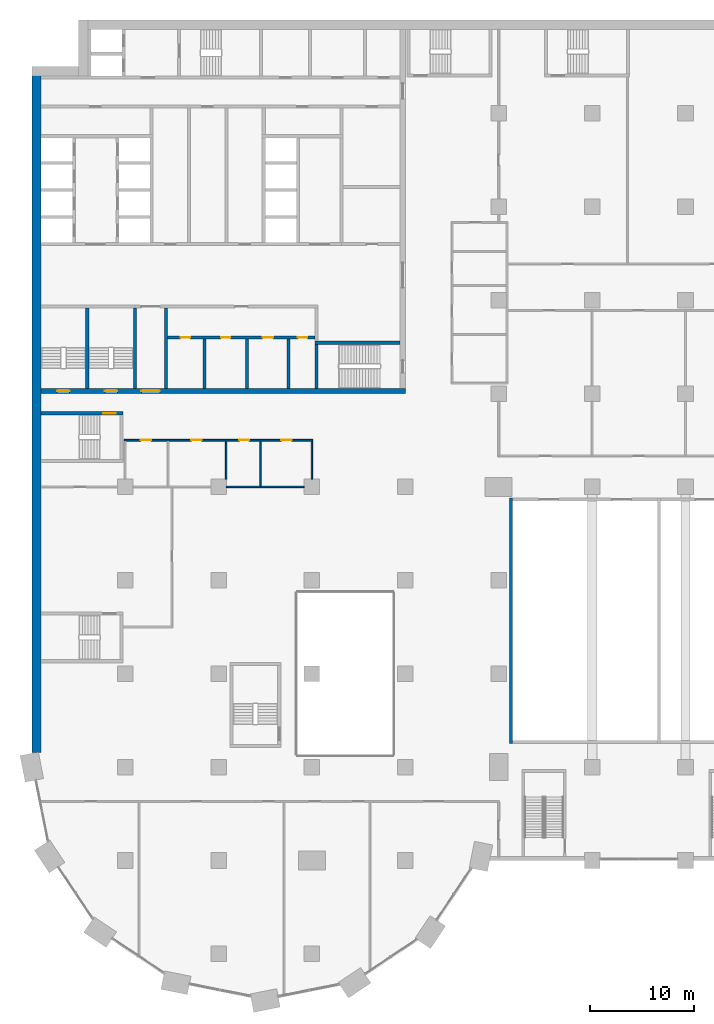
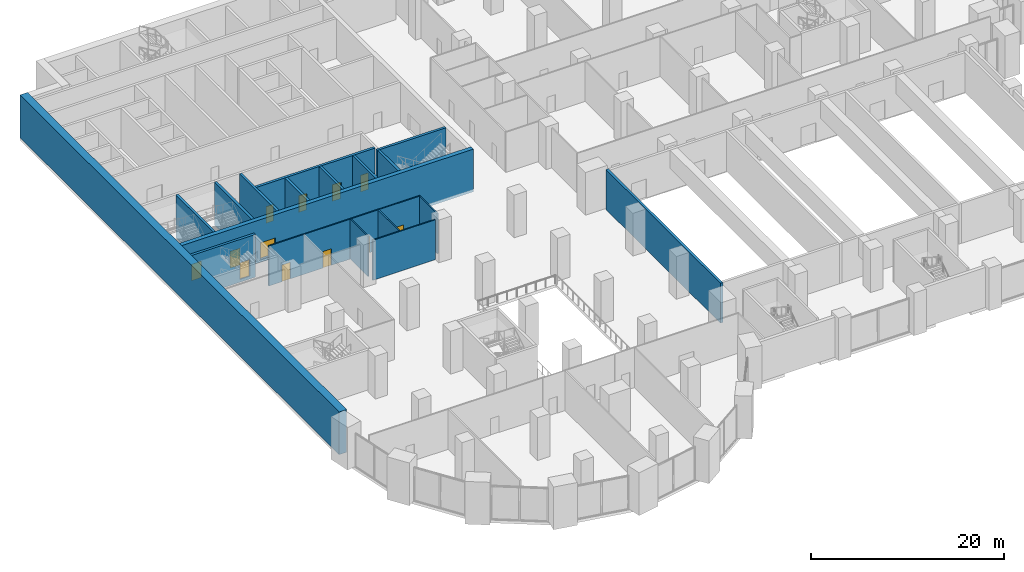
# One storey, part 16 of 43: 18 walls, 12 doors, 12 openings.
"""IFC4 building model written with IfcOpenShell, lengths in metres."""

from ifc_helpers import new_model, si_unit, direction, frame, frame_2d, origin, place, context, subcontext, project, spatial, rectangle, extrude, material, layer, layer_set, type_object, element, fill, save


model = new_model("IFC4")

# Units and contexts
model_context = context("Model", 3, precision=1e-05, world=origin(), true_north=direction((0.0, 1.0)))
body_context = subcontext(model_context, "Body", "Model", "MODEL_VIEW")
ifc_project = project(units=[si_unit("LENGTHUNIT", "METRE"), si_unit("AREAUNIT", "SQUARE_METRE"), si_unit("VOLUMEUNIT", "CUBIC_METRE"), si_unit("PLANEANGLEUNIT", "RADIAN"), si_unit("MASSUNIT", "GRAM", prefix="KILO")], contexts=[model_context])

# Site, building, storey
site_placement = place(None, origin())
site = spatial("IfcSite", under=ifc_project, at=site_placement, CompositionType="ELEMENT")
building_placement = place(site_placement, origin())
building = spatial("IfcBuilding", under=site, at=building_placement, Name="Hunhe Ridgeline Campus", CompositionType="ELEMENT")
storey_placement = place(building_placement, frame((0.0, 0.0, 11.39990234375)))
storey = spatial("IfcBuildingStorey", under=building, at=storey_placement, Name="L02", CompositionType="ELEMENT", Elevation=11.39990234375)

# Wall
ifc_material_1 = material(Name="Plastered blockwork", Category="masonry")
ifc_layer_1 = layer(ifc_material_1, 0.14990234375)
ifc_layer_set_1 = layer_set([ifc_layer_1], Name="Blockwork partition 150")
wall_type_1 = type_object("IfcWallType", Name="Blockwork partition 150", PredefinedType="PARTITIONING", material=ifc_layer_set_1)
wall_1_placement = place(storey_placement, frame((26.25, 54.0, 0.0), z_axis=(0.0, 0.0, 1.0), x_axis=(-1.0, 0.0, 0.0)))
element("IfcWall", 1, at=wall_1_placement, inside=storey, type_object=wall_type_1, Name="L02 partition", PredefinedType="PARTITIONING", context=body_context, shape_type="SweptSolid", body=[
    extrude(rectangle(XDim=7.5, YDim=0.14990234375, at=frame_2d((3.75, 0.0))), origin(), (0.0, 0.0, 1.0), 5.050048828125),
])

# Wall, openings, doors
wall_2_placement = place(storey_placement, frame((8.925048828125, 58.5, 0.0), z_axis=(0.0, 0.0, 1.0), x_axis=(1.0, 0.0, 0.0)))
wall_2 = element("IfcWall", 2, at=wall_2_placement, inside=storey, type_object=wall_type_1, Name="L02 partition", PredefinedType="PARTITIONING", context=body_context, shape_type="SweptSolid", body=[
    extrude(rectangle(XDim=18.14990234375, YDim=0.14990234375, at=frame_2d((9.074951171875, 0.0))), origin(), (0.0, 0.0, 1.0), 5.050048828125),
])
opening_1_placement = place(wall_2_placement, frame((1.574951171875, 0.0, 0.0)))
opening_1 = element("IfcOpeningElement", 3, at=opening_1_placement, cuts=wall_2, Name="Opening PD319", PredefinedType="OPENING", context=body_context, shape_type="SweptSolid", body=[
    extrude(rectangle(XDim=1.0, YDim=2.10009765625, at=frame_2d((0.5, 1.050048828125))), frame((0.0, 0.074951171875, 0.0), z_axis=(0.0, -1.0, 0.0), x_axis=(1.0, 0.0, 0.0)), (0.0, 0.0, 1.0), 0.14990234375),
])
opening_2_placement = place(wall_2_placement, frame((6.462890625, 0.0, 0.0)))
opening_2 = element("IfcOpeningElement", 4, at=opening_2_placement, cuts=wall_2, Name="Opening PD320", PredefinedType="OPENING", context=body_context, shape_type="SweptSolid", body=[
    extrude(rectangle(XDim=1.0, YDim=2.10009765625, at=frame_2d((0.5, 1.050048828125))), frame((0.0, 0.074951171875, 0.0), z_axis=(0.0, -1.0, 0.0), x_axis=(1.0, 0.0, 0.0)), (0.0, 0.0, 1.0), 0.14990234375),
])
opening_3_placement = place(wall_2_placement, frame((11.049072265625, 0.0, 0.0)))
opening_3 = element("IfcOpeningElement", 5, at=opening_3_placement, cuts=wall_2, Name="Opening PD321", PredefinedType="OPENING", context=body_context, shape_type="SweptSolid", body=[
    extrude(rectangle(XDim=1.0, YDim=2.10009765625, at=frame_2d((0.5, 1.050048828125))), frame((0.0, 0.074951171875, 0.0), z_axis=(0.0, -1.0, 0.0), x_axis=(1.0, 0.0, 0.0)), (0.0, 0.0, 1.0), 0.14990234375),
])
opening_4_placement = place(wall_2_placement, frame((15.10888671875, 0.0, 0.0)))
opening_4 = element("IfcOpeningElement", 6, at=opening_4_placement, cuts=wall_2, Name="Opening PD322", PredefinedType="OPENING", context=body_context, shape_type="SweptSolid", body=[
    extrude(rectangle(XDim=1.0, YDim=2.10009765625, at=frame_2d((0.5, 1.050048828125))), frame((0.0, 0.074951171875, 0.0), z_axis=(0.0, -1.0, 0.0), x_axis=(1.0, 0.0, 0.0)), (0.0, 0.0, 1.0), 0.14990234375),
])
ifc_material_2 = material(Name="Timber", Category="wood")
door_type_1 = type_object("IfcDoorType", Name="Podium timber door 1000x2100", OperationType="NOTDEFINED", PredefinedType="DOOR", material=ifc_material_2)
door_1_placement = place(opening_1_placement, origin())
door_1 = element("IfcDoor", 7, at=door_1_placement, inside=storey, type_object=door_type_1, Name="Faculty Office 2.05 door", OperationType="SINGLE_SWING_LEFT", OverallHeight=2.10009765625, OverallWidth=1.0, PredefinedType="DOOR", context=body_context, shape_type="SweptSolid", body=[
    extrude(rectangle(XDim=1.0, YDim=2.10009765625, at=frame_2d((0.5, 1.050048828125))), frame((0.0, 0.02490234375, 0.0), z_axis=(0.0, -1.0, 0.0), x_axis=(1.0, 0.0, 0.0)), (0.0, 0.0, 1.0), 0.050048828125),
])
fill(opening_1, door_1)
door_2_placement = place(opening_2_placement, origin())
door_2 = element("IfcDoor", 8, at=door_2_placement, inside=storey, type_object=door_type_1, Name="Faculty Office 2.06 door", OperationType="SINGLE_SWING_LEFT", OverallHeight=2.10009765625, OverallWidth=1.0, PredefinedType="DOOR", context=body_context, shape_type="SweptSolid", body=[
    extrude(rectangle(XDim=1.0, YDim=2.10009765625, at=frame_2d((0.5, 1.050048828125))), frame((0.0, 0.02490234375, 0.0), z_axis=(0.0, -1.0, 0.0), x_axis=(1.0, 0.0, 0.0)), (0.0, 0.0, 1.0), 0.050048828125),
])
fill(opening_2, door_2)
door_3_placement = place(opening_3_placement, origin())
door_3 = element("IfcDoor", 9, at=door_3_placement, inside=storey, type_object=door_type_1, Name="Faculty Office 2.07 door", OperationType="SINGLE_SWING_RIGHT", OverallHeight=2.10009765625, OverallWidth=1.0, PredefinedType="DOOR", context=body_context, shape_type="SweptSolid", body=[
    extrude(rectangle(XDim=1.0, YDim=2.10009765625, at=frame_2d((0.5, 1.050048828125))), frame((0.0, 0.02490234375, 0.0), z_axis=(0.0, -1.0, 0.0), x_axis=(1.0, 0.0, 0.0)), (0.0, 0.0, 1.0), 0.050048828125),
])
fill(opening_3, door_3)
door_4_placement = place(opening_4_placement, origin())
door_4 = element("IfcDoor", 10, at=door_4_placement, inside=storey, type_object=door_type_1, Name="Faculty Office 2.08 door", OperationType="SINGLE_SWING_RIGHT", OverallHeight=2.10009765625, OverallWidth=1.0, PredefinedType="DOOR", context=body_context, shape_type="SweptSolid", body=[
    extrude(rectangle(XDim=1.0, YDim=2.10009765625, at=frame_2d((0.5, 1.050048828125))), frame((0.0, 0.02490234375, 0.0), z_axis=(0.0, -1.0, 0.0), x_axis=(1.0, 0.0, 0.0)), (0.0, 0.0, 1.0), 0.050048828125),
])
fill(opening_4, door_4)

# Walls
wall_3_placement = place(storey_placement, frame((18.72412109375, 54.75, 0.0), z_axis=(0.0, 0.0, 1.0), x_axis=(0.0, 1.0, 0.0)))
element("IfcWall", 11, at=wall_3_placement, inside=storey, type_object=wall_type_1, Name="L02 partition", PredefinedType="PARTITIONING", context=body_context, shape_type="SweptSolid", body=[
    extrude(rectangle(XDim=3.675048828125, YDim=0.14990234375, at=frame_2d((1.83740234375, 0.0))), origin(), (0.0, 0.0, 1.0), 5.050048828125),
])
wall_4_placement = place(storey_placement, frame((22.033935546875, 54.074951171875, 0.0), z_axis=(0.0, 0.0, 1.0), x_axis=(0.0, 1.0, 0.0)))
element("IfcWall", 12, at=wall_4_placement, inside=storey, type_object=wall_type_1, Name="L02 partition", PredefinedType="PARTITIONING", context=body_context, shape_type="SweptSolid", body=[
    extrude(rectangle(XDim=4.35009765625, YDim=0.14990234375, at=frame_2d((2.175048828125, 0.0))), origin(), (0.0, 0.0, 1.0), 5.050048828125),
])
wall_5_placement = place(storey_placement, frame((27.0, 58.425048828125, 0.0), z_axis=(0.0, 0.0, 1.0), x_axis=(0.0, -1.0, 0.0)))
element("IfcWall", 13, at=wall_5_placement, inside=storey, type_object=wall_type_1, Name="L02 partition", PredefinedType="PARTITIONING", context=body_context, shape_type="SweptSolid", body=[
    extrude(rectangle(XDim=3.675048828125, YDim=0.14990234375, at=frame_2d((1.83740234375, 0.0))), origin(), (0.0, 0.0, 1.0), 5.050048828125),
])

# Wall, openings, doors
ifc_material_3 = material(Name="Masonry concrete blockwork", Category="masonry")
ifc_layer_2 = layer(ifc_material_3, 0.300048828125)
ifc_layer_set_2 = layer_set([ifc_layer_2], Name="Core room partition 300 concrete block")
wall_type_2 = type_object("IfcWallType", Name="Core room partition 300 concrete block", PredefinedType="PARTITIONING", material=ifc_layer_set_2)
wall_6_placement = place(storey_placement, frame((13.10009765625, 68.39990234375, 0.0), z_axis=(0.0, 0.0, 1.0), x_axis=(1.0, 0.0, 0.0)))
wall_6 = element("IfcWall", 14, at=wall_6_placement, inside=storey, type_object=wall_type_2, Name="L02 core partition 10", PredefinedType="PARTITIONING", context=body_context, shape_type="SweptSolid", body=[
    extrude(rectangle(XDim=14.199951171875, YDim=0.300048828125, at=frame_2d((7.10009765625, 0.0))), origin(), (0.0, 0.0, 1.0), 5.050048828125),
])
opening_5_placement = place(wall_6_placement, frame((1.25, 0.0, 0.0)))
opening_5 = element("IfcOpeningElement", 15, at=opening_5_placement, cuts=wall_6, Name="Opening CD8", PredefinedType="OPENING", context=body_context, shape_type="SweptSolid", body=[
    extrude(rectangle(XDim=0.89990234375, YDim=2.10009765625, at=frame_2d((0.449951171875, 1.050048828125))), frame((0.0, 0.14990234375, 0.0), z_axis=(0.0, -1.0, 0.0), x_axis=(1.0, 0.0, 0.0)), (0.0, 0.0, 1.0), 0.300048828125),
])
opening_6_placement = place(wall_6_placement, frame((5.14990234375, 0.0, 0.0)))
opening_6 = element("IfcOpeningElement", 16, at=opening_6_placement, cuts=wall_6, Name="Opening CD9", PredefinedType="OPENING", context=body_context, shape_type="SweptSolid", body=[
    extrude(rectangle(XDim=0.89990234375, YDim=2.10009765625, at=frame_2d((0.449951171875, 1.050048828125))), frame((0.0, 0.14990234375, 0.0), z_axis=(0.0, -1.0, 0.0), x_axis=(1.0, 0.0, 0.0)), (0.0, 0.0, 1.0), 0.300048828125),
])
opening_7_placement = place(wall_6_placement, frame((9.14990234375, 0.0, 0.0)))
opening_7 = element("IfcOpeningElement", 17, at=opening_7_placement, cuts=wall_6, Name="Opening CD10", PredefinedType="OPENING", context=body_context, shape_type="SweptSolid", body=[
    extrude(rectangle(XDim=1.0, YDim=2.10009765625, at=frame_2d((0.5, 1.050048828125))), frame((0.0, 0.14990234375, 0.0), z_axis=(0.0, -1.0, 0.0), x_axis=(1.0, 0.0, 0.0)), (0.0, 0.0, 1.0), 0.300048828125),
])
opening_8_placement = place(wall_6_placement, frame((12.550048828125, 0.0, 0.0)))
opening_8 = element("IfcOpeningElement", 18, at=opening_8_placement, cuts=wall_6, Name="Opening CD11", PredefinedType="OPENING", context=body_context, shape_type="SweptSolid", body=[
    extrude(rectangle(XDim=0.89990234375, YDim=2.10009765625, at=frame_2d((0.449951171875, 1.050048828125))), frame((0.0, 0.14990234375, 0.0), z_axis=(0.0, -1.0, 0.0), x_axis=(1.0, 0.0, 0.0)), (0.0, 0.0, 1.0), 0.300048828125),
])
ifc_material_4 = material(Name="Solid core timber door leaf", Category="wood")
door_type_2 = type_object("IfcDoorType", Name="Timber door 1000x2100", OperationType="SINGLE_SWING_LEFT", PredefinedType="DOOR", material=ifc_material_4)
door_5_placement = place(opening_7_placement, frame((1.0, 0.0, 0.0), z_axis=(0.0, 0.0, 1.0), x_axis=(-1.0, 0.0, 0.0)))
door_5 = element("IfcDoor", 19, at=door_5_placement, inside=storey, type_object=door_type_2, Name="L02 door WC3", OperationType="SINGLE_SWING_RIGHT", OverallHeight=2.10009765625, OverallWidth=1.0, PredefinedType="DOOR", context=body_context, shape_type="SweptSolid", body=[
    extrude(rectangle(XDim=1.0, YDim=2.10009765625, at=frame_2d((0.5, 1.050048828125))), frame((0.0, 0.02490234375, 0.0), z_axis=(0.0, -1.0, 0.0), x_axis=(1.0, 0.0, 0.0)), (0.0, 0.0, 1.0), 0.050048828125),
])
fill(opening_7, door_5)
door_type_3 = type_object("IfcDoorType", Name="Timber door 900x2100", OperationType="SINGLE_SWING_LEFT", PredefinedType="DOOR", material=ifc_material_4)
door_6_placement = place(opening_5_placement, frame((0.89990234375, 0.0, 0.0), z_axis=(0.0, 0.0, 1.0), x_axis=(-1.0, 0.0, 0.0)))
door_6 = element("IfcDoor", 20, at=door_6_placement, inside=storey, type_object=door_type_3, Name="L02 door WC1", OperationType="SINGLE_SWING_RIGHT", OverallHeight=2.10009765625, OverallWidth=0.89990234375, PredefinedType="DOOR", context=body_context, shape_type="SweptSolid", body=[
    extrude(rectangle(XDim=0.89990234375, YDim=2.10009765625, at=frame_2d((0.449951171875, 1.050048828125))), frame((0.0, 0.02490234375, 0.0), z_axis=(0.0, -1.0, 0.0), x_axis=(1.0, 0.0, 0.0)), (0.0, 0.0, 1.0), 0.050048828125),
])
fill(opening_5, door_6)
door_7_placement = place(opening_6_placement, frame((0.89990234375, 0.0, 0.0), z_axis=(0.0, 0.0, 1.0), x_axis=(-1.0, 0.0, 0.0)))
door_7 = element("IfcDoor", 21, at=door_7_placement, inside=storey, type_object=door_type_3, Name="L02 door WC2", OperationType="SINGLE_SWING_LEFT", OverallHeight=2.10009765625, OverallWidth=0.89990234375, PredefinedType="DOOR", context=body_context, shape_type="SweptSolid", body=[
    extrude(rectangle(XDim=0.89990234375, YDim=2.10009765625, at=frame_2d((0.449951171875, 1.050048828125))), frame((0.0, 0.02490234375, 0.0), z_axis=(0.0, -1.0, 0.0), x_axis=(1.0, 0.0, 0.0)), (0.0, 0.0, 1.0), 0.050048828125),
])
fill(opening_6, door_7)
door_8_placement = place(opening_8_placement, frame((0.89990234375, 0.0, 0.0), z_axis=(0.0, 0.0, 1.0), x_axis=(-1.0, 0.0, 0.0)))
door_8 = element("IfcDoor", 22, at=door_8_placement, inside=storey, type_object=door_type_3, Name="L02 door WC4", OperationType="SINGLE_SWING_LEFT", OverallHeight=2.10009765625, OverallWidth=0.89990234375, PredefinedType="DOOR", context=body_context, shape_type="SweptSolid", body=[
    extrude(rectangle(XDim=0.89990234375, YDim=2.10009765625, at=frame_2d((0.449951171875, 1.050048828125))), frame((0.0, 0.02490234375, 0.0), z_axis=(0.0, -1.0, 0.0), x_axis=(1.0, 0.0, 0.0)), (0.0, 0.0, 1.0), 0.050048828125),
])
fill(opening_8, door_8)

# Walls
wall_7_placement = place(storey_placement, frame((12.949951171875, 63.5, 0.0), z_axis=(0.0, 0.0, 1.0), x_axis=(0.0, 1.0, 0.0)))
element("IfcWall", 23, at=wall_7_placement, inside=storey, type_object=wall_type_2, Name="L02 core partition 45", PredefinedType="PARTITIONING", context=body_context, shape_type="SweptSolid", body=[
    extrude(rectangle(XDim=7.75, YDim=0.300048828125, at=frame_2d((3.875, 0.0))), origin(), (0.0, 0.0, 1.0), 5.050048828125),
])
for number, where, z_axis, x_axis, name in (
    (24, (16.64990234375, 63.5, 0.0), (0.0, 0.0, 1.0), (0.0, 1.0, 0.0), "L02 core partition 48"),
    (25, (20.75, 63.5, 0.0), (0.0, 0.0, 1.0), (0.0, 1.0, 0.0), "L02 core partition 51"),
    (26, (24.75, 63.5, 0.0), (0.0, 0.0, 1.0), (0.0, 1.0, 0.0), "L02 core partition 56"),
):
    element("IfcWall", number, at=place(storey_placement, frame(where, z_axis=z_axis, x_axis=x_axis)), inside=storey, type_object=wall_type_2, Name=name, PredefinedType="PARTITIONING", context=body_context, shape_type="SweptSolid", body=[
        extrude(rectangle(XDim=4.75, YDim=0.300048828125, at=frame_2d((2.375, 0.0))), origin(), (0.0, 0.0, 1.0), 5.050048828125),
    ])

# Wall, openings, doors
ifc_material_5 = material(Name="Concrete C80", Category="concrete")
ifc_layer_3 = layer(ifc_material_5, 0.5)
ifc_layer_set_3 = layer_set([ifc_layer_3], Name="Core wall 500 reinforced concrete C80")
wall_type_3 = type_object("IfcWallType", Name="Core wall 500 reinforced concrete C80", PredefinedType="SOLIDWALL", material=ifc_layer_set_3)
wall_8_placement = place(storey_placement, frame((0.89990234375, 63.25, -0.349853515625), z_axis=(0.0, 0.0, 1.0), x_axis=(1.0, 0.0, 0.0)))
wall_8 = element("IfcWall", 27, at=wall_8_placement, inside=storey, type_object=wall_type_3, Name="L02 core wall 7", PredefinedType="SOLIDWALL", context=body_context, shape_type="SweptSolid", body=[
    extrude(rectangle(XDim=35.10009765625, YDim=0.5, at=frame_2d((17.550048828125, 0.0))), origin(), (0.0, 0.0, 1.0), 5.39990234375),
])
opening_9_placement = place(wall_8_placement, frame((9.64990234375, 0.0, 0.35009765625)))
opening_9 = element("IfcOpeningElement", 28, at=opening_9_placement, cuts=wall_8, Name="Opening CD6", PredefinedType="OPENING", context=body_context, shape_type="SweptSolid", body=[
    extrude(rectangle(XDim=1.800048828125, YDim=2.10009765625, at=frame_2d((0.89990234375, 1.050048828125))), frame((0.0, 0.25, 0.0), z_axis=(0.0, -1.0, 0.0), x_axis=(1.0, 0.0, 0.0)), (0.0, 0.0, 1.0), 0.5),
])
opening_10_placement = place(wall_8_placement, frame((1.550048828125, 0.0, 0.35009765625)))
opening_10 = element("IfcOpeningElement", 29, at=opening_10_placement, cuts=wall_8, Name="Opening CD13", PredefinedType="OPENING", context=body_context, shape_type="SweptSolid", body=[
    extrude(rectangle(XDim=1.199951171875, YDim=2.10009765625, at=frame_2d((0.60009765625, 1.050048828125))), frame((0.0, 0.25, 0.0), z_axis=(0.0, -1.0, 0.0), x_axis=(1.0, 0.0, 0.0)), (0.0, 0.0, 1.0), 0.5),
])
opening_11_placement = place(wall_8_placement, frame((6.14990234375, 0.0, 0.35009765625)))
opening_11 = element("IfcOpeningElement", 30, at=opening_11_placement, cuts=wall_8, Name="Opening CD14", PredefinedType="OPENING", context=body_context, shape_type="SweptSolid", body=[
    extrude(rectangle(XDim=1.199951171875, YDim=2.10009765625, at=frame_2d((0.60009765625, 1.050048828125))), frame((0.0, 0.25, 0.0), z_axis=(0.0, -1.0, 0.0), x_axis=(1.0, 0.0, 0.0)), (0.0, 0.0, 1.0), 0.5),
])
ifc_material_6 = material(Name="Anodised aluminium and glass", Category="aluminium")
door_type_4 = type_object("IfcDoorType", Name="Glazed double door 1800x2100", OperationType="DOUBLE_DOOR_SINGLE_SWING", PredefinedType="DOOR", material=ifc_material_6)
door_9_placement = place(opening_9_placement, frame((1.800048828125, 0.0, 0.0), z_axis=(0.0, 0.0, 1.0), x_axis=(-1.0, 0.0, 0.0)))
door_9 = element("IfcDoor", 31, at=door_9_placement, inside=storey, type_object=door_type_4, Name="L02 door VEST-FLOOR", OperationType="DOUBLE_DOOR_SINGLE_SWING", OverallHeight=2.10009765625, OverallWidth=1.800048828125, PredefinedType="DOOR", context=body_context, shape_type="SweptSolid", body=[
    extrude(rectangle(XDim=1.800048828125, YDim=2.10009765625, at=frame_2d((0.89990234375, 1.050048828125))), frame((0.0, 0.02490234375, 0.0), z_axis=(0.0, -1.0, 0.0), x_axis=(1.0, 0.0, 0.0)), (0.0, 0.0, 1.0), 0.050048828125),
])
fill(opening_9, door_9)
ifc_material_7 = material(Name="Hollow metal fire door leaf")
door_type_5 = type_object("IfcDoorType", Name="Stair door 1200x2100 FD60", OperationType="SINGLE_SWING_LEFT", PredefinedType="DOOR", material=ifc_material_7)
door_10_placement = place(opening_10_placement, frame((1.199951171875, 0.0, 0.0), z_axis=(0.0, 0.0, 1.0), x_axis=(-1.0, 0.0, 0.0)))
door_10 = element("IfcDoor", 32, at=door_10_placement, inside=storey, type_object=door_type_5, Name="L02 door S3", OperationType="SINGLE_SWING_RIGHT", OverallHeight=2.10009765625, OverallWidth=1.199951171875, PredefinedType="DOOR", context=body_context, shape_type="SweptSolid", body=[
    extrude(rectangle(XDim=1.199951171875, YDim=2.10009765625, at=frame_2d((0.60009765625, 1.050048828125))), frame((0.0, 0.02490234375, 0.0), z_axis=(0.0, -1.0, 0.0), x_axis=(1.0, 0.0, 0.0)), (0.0, 0.0, 1.0), 0.050048828125),
])
fill(opening_10, door_10)
door_11_placement = place(opening_11_placement, frame((1.199951171875, 0.0, 0.0), z_axis=(0.0, 0.0, 1.0), x_axis=(-1.0, 0.0, 0.0)))
door_11 = element("IfcDoor", 33, at=door_11_placement, inside=storey, type_object=door_type_5, Name="L02 door S4", OperationType="SINGLE_SWING_LEFT", OverallHeight=2.10009765625, OverallWidth=1.199951171875, PredefinedType="DOOR", context=body_context, shape_type="SweptSolid", body=[
    extrude(rectangle(XDim=1.199951171875, YDim=2.10009765625, at=frame_2d((0.60009765625, 1.050048828125))), frame((0.0, 0.02490234375, 0.0), z_axis=(0.0, -1.0, 0.0), x_axis=(1.0, 0.0, 0.0)), (0.0, 0.0, 1.0), 0.050048828125),
])
fill(opening_11, door_11)

# Walls
ifc_material_8 = material(Name="Concrete C40", Category="concrete")
ifc_layer_4 = layer(ifc_material_8, 0.300048828125)
ifc_layer_set_4 = layer_set([ifc_layer_4], Name="Lecture hall wall 300 C40")
wall_type_4 = type_object("IfcWallType", Name="Lecture hall wall 300 C40", PredefinedType="SOLIDWALL", material=ifc_layer_set_4)
wall_9_placement = place(storey_placement, frame((46.199951171875, 29.25, 0.0), z_axis=(0.0, 0.0, 1.0), x_axis=(0.0, 1.0, 0.0)))
element("IfcWall", 34, at=wall_9_placement, inside=storey, type_object=wall_type_4, Name="L02 lecture hall wall", PredefinedType="SOLIDWALL", context=body_context, shape_type="SweptSolid", body=[
    extrude(rectangle(XDim=23.699951171875, YDim=0.300048828125, at=frame_2d((11.85009765625, 0.0))), origin(), (0.0, 0.0, 1.0), 5.050048828125),
])
ifc_layer_5 = layer(ifc_material_5, 0.89990234375)
ifc_layer_set_5 = layer_set([ifc_layer_5], Name="Spine wall 900 Concrete C80")
wall_type_5 = type_object("IfcWallType", Name="Spine wall 900 Concrete C80", PredefinedType="SHEAR", material=ifc_layer_set_5)
wall_10_placement = place(storey_placement, frame((0.449951171875, 94.5, 0.0), z_axis=(0.0, 0.0, 1.0), x_axis=(0.0, -1.0, 0.0)))
element("IfcWall", 35, at=wall_10_placement, inside=storey, type_object=wall_type_5, Name="Spine wall SW1-1 L02", PredefinedType="SHEAR", context=body_context, shape_type="SweptSolid", body=[
    extrude(rectangle(XDim=66.0849609375, YDim=0.89990234375, at=frame_2d((33.04248046875, 0.0))), origin(), (0.0, 0.0, 1.0), 5.400146484375),
])

# Wall, opening, door
ifc_layer_6 = layer(ifc_material_5, 0.300048828125)
ifc_layer_set_6 = layer_set([ifc_layer_6], Name="Stair wall 300 reinforced concrete C80")
wall_type_6 = type_object("IfcWallType", Name="Stair wall 300 reinforced concrete C80", PredefinedType="SOLIDWALL", material=ifc_layer_set_6)
wall_11_placement = place(storey_placement, frame((0.89990234375, 61.10009765625, -0.349853515625), z_axis=(0.0, 0.0, 1.0), x_axis=(1.0, 0.0, 0.0)))
wall_11 = element("IfcWall", 36, at=wall_11_placement, inside=storey, type_object=wall_type_6, Name="L02 core wall 6", PredefinedType="SOLIDWALL", context=body_context, shape_type="SweptSolid", body=[
    extrude(rectangle(XDim=7.900146484375, YDim=0.300048828125, at=frame_2d((3.9501953125, 0.0))), origin(), (0.0, 0.0, 1.0), 5.39990234375),
])
opening_12_placement = place(wall_11_placement, frame((6.0, 0.0, 0.35009765625)))
opening_12 = element("IfcOpeningElement", 37, at=opening_12_placement, cuts=wall_11, Name="Opening CD22", PredefinedType="OPENING", context=body_context, shape_type="SweptSolid", body=[
    extrude(rectangle(XDim=1.199951171875, YDim=2.10009765625, at=frame_2d((0.60009765625, 1.050048828125))), frame((0.0, 0.14990234375, 0.0), z_axis=(0.0, -1.0, 0.0), x_axis=(1.0, 0.0, 0.0)), (0.0, 0.0, 1.0), 0.300048828125),
])
door_12_placement = place(opening_12_placement, origin())
door_12 = element("IfcDoor", 38, at=door_12_placement, inside=storey, type_object=door_type_5, Name="L02 door W2", OperationType="SINGLE_SWING_RIGHT", OverallHeight=2.10009765625, OverallWidth=1.199951171875, PredefinedType="DOOR", context=body_context, shape_type="SweptSolid", body=[
    extrude(rectangle(XDim=1.199951171875, YDim=2.10009765625, at=frame_2d((0.60009765625, 1.050048828125))), frame((0.0, 0.02490234375, 0.0), z_axis=(0.0, -1.0, 0.0), x_axis=(1.0, 0.0, 0.0)), (0.0, 0.0, 1.0), 0.050048828125),
])
fill(opening_12, door_12)

# Walls
wall_12_placement = place(storey_placement, frame((27.300048828125, 67.89990234375, -0.349853515625), z_axis=(0.0, 0.0, 1.0), x_axis=(1.0, 0.0, 0.0)))
element("IfcWall", 39, at=wall_12_placement, inside=storey, type_object=wall_type_6, Name="L02 core wall 9", PredefinedType="SOLIDWALL", context=body_context, shape_type="SweptSolid", body=[
    extrude(rectangle(XDim=8.199951171875, YDim=0.300048828125, at=frame_2d((4.10009765625, 0.0))), origin(), (0.0, 0.0, 1.0), 5.39990234375),
])
for number, where, z_axis, x_axis, name in (
    (40, (5.35009765625, 63.5, -0.349853515625), (0.0, 0.0, 1.0), (0.0, 1.0, 0.0), "L02 core wall 36"),
    (41, (9.949951171875, 63.5, -0.349853515625), (0.0, 0.0, 1.0), (0.0, 1.0, 0.0), "L02 core wall 42"),
):
    element("IfcWall", number, at=place(storey_placement, frame(where, z_axis=z_axis, x_axis=x_axis)), inside=storey, type_object=wall_type_6, Name=name, PredefinedType="SOLIDWALL", context=body_context, shape_type="SweptSolid", body=[
        extrude(rectangle(XDim=7.75, YDim=0.300048828125, at=frame_2d((3.875, 0.0))), origin(), (0.0, 0.0, 1.0), 5.39990234375),
    ])
wall_13_placement = place(storey_placement, frame((27.449951171875, 63.5, -0.349853515625), z_axis=(0.0, 0.0, 1.0), x_axis=(0.0, 1.0, 0.0)))
element("IfcWall", 42, at=wall_13_placement, inside=storey, type_object=wall_type_6, Name="L02 core wall 59", PredefinedType="SOLIDWALL", context=body_context, shape_type="SweptSolid", body=[
    extrude(rectangle(XDim=4.25, YDim=0.300048828125, at=frame_2d((2.125, 0.0))), origin(), (0.0, 0.0, 1.0), 5.39990234375),
])

save(model, "model.ifc")
